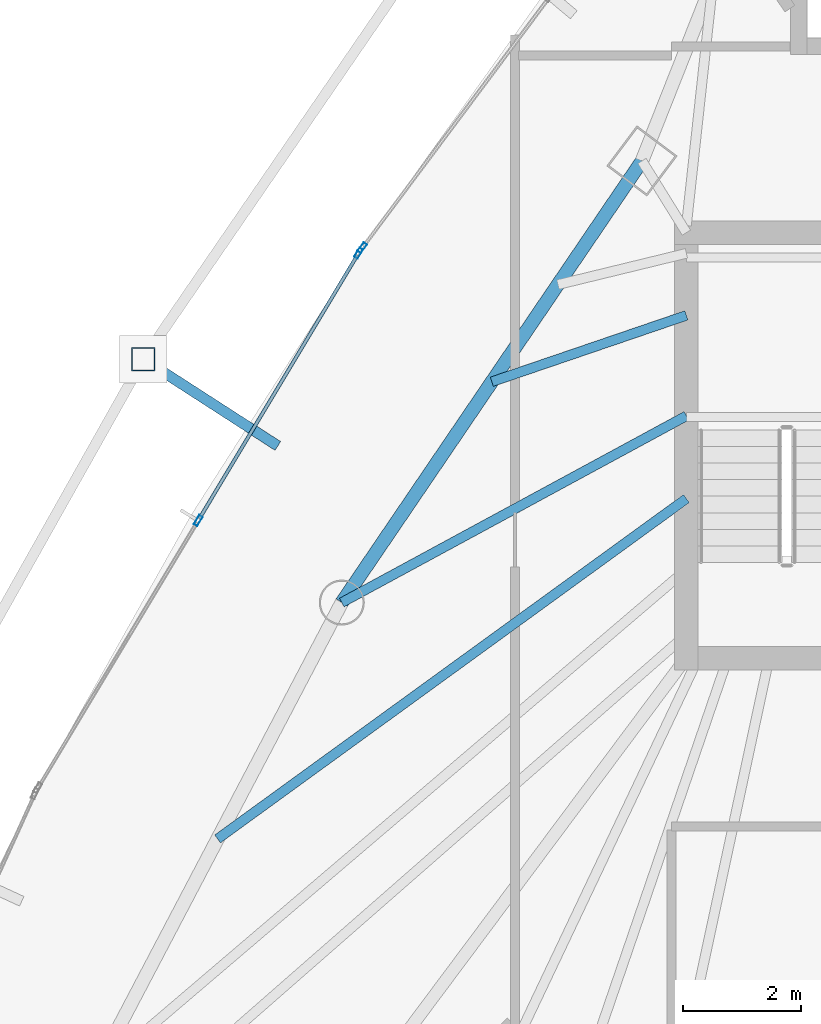
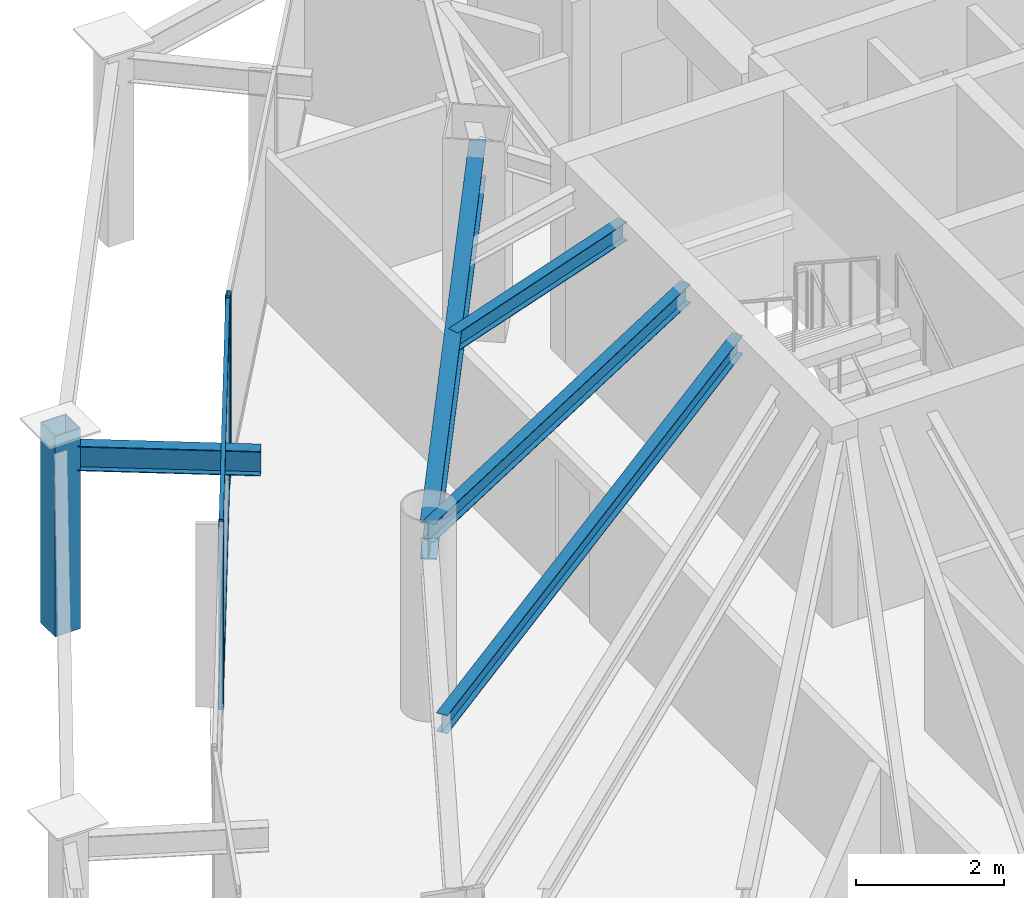
# One storey, part 12 of 31: 6 members, 5 beams, 2 elements without a shape of their own.
"""IFC4 building model written with IfcOpenShell, lengths in metres."""

from ifc_helpers import new_model, si_unit, direction, frame, origin, origin_2d, place, context, subcontext, project, spatial, hollow_rectangle, i_section, extrude, material, layer, layer_set, material_profile, profile_set, type_object, element, aggregate, save


model = new_model("IFC4")

# Units and contexts
model_context = context("Model", 3, precision=1e-05, world=origin(), true_north=direction((0.0, 1.0)))
body_context = subcontext(model_context, "Body", "Model", "MODEL_VIEW")
ifc_project = project(units=[si_unit("LENGTHUNIT", "METRE"), si_unit("AREAUNIT", "SQUARE_METRE"), si_unit("VOLUMEUNIT", "CUBIC_METRE"), si_unit("PLANEANGLEUNIT", "RADIAN"), si_unit("MASSUNIT", "GRAM", prefix="KILO")], contexts=[model_context])

# Site, building, storey
site_placement = place(None, origin())
site = spatial("IfcSite", under=ifc_project, at=site_placement, CompositionType="ELEMENT")
building_placement = place(site_placement, origin())
building = spatial("IfcBuilding", under=site, at=building_placement, Name="Orvanel Arch Residences", CompositionType="ELEMENT")
storey_placement = place(building_placement, frame((0.0, 0.0, 183.64990234375)))
storey = spatial("IfcBuildingStorey", under=building, at=storey_placement, Name="L52", CompositionType="ELEMENT", Elevation=183.64990234375)

# Beams
ifc_material_1 = material(Name="Structural steel AS/NZS 3679.1 Grade 300 (300 MPa)", Category="steel")
ifc_material_profile_1 = material_profile(ifc_material_1, i_section(OverallWidth=0.1650390625, OverallDepth=0.303955078125, WebThickness=0.006103515625, FlangeThickness=0.01025390625, at=origin_2d()), Name="310UB40.4")
ifc_profile_set_1 = profile_set([ifc_material_profile_1], Name="Structural steel AS/NZS 3679.1 Grade 300 (300 MPa)")
beam_type_1 = type_object("IfcBeamType", Name="BJ-310UB", PredefinedType="JOIST", material=ifc_profile_set_1)
beam_1_placement = place(storey_placement, frame((26.39990234375, 30.800048828125, 2.8681640625), z_axis=(-0.87925534649, -0.476350748576, 0.0), x_axis=(0.476350748576, -0.87925534649, 0.0)))
element("IfcBeam", 1, at=beam_1_placement, inside=storey, type_object=beam_type_1, Name="L52 NW Wing Floor Joist", PredefinedType="JOIST", context=body_context, shape_type="SweptSolid", body=[
    extrude(i_section(OverallWidth=0.1650390625, OverallDepth=0.303955078125, WebThickness=0.006103515625, FlangeThickness=0.01025390625, at=origin_2d()), origin(), (0.0, 0.0, 1.0), 6.631591796875),
])
beam_2_placement = place(storey_placement, frame((26.39990234375, 32.5, 2.8681640625), z_axis=(-0.946441958332, -0.322873999431, 0.0), x_axis=(0.322873999431, -0.946441958332, 0.0)))
element("IfcBeam", 2, at=beam_2_placement, inside=storey, type_object=beam_type_1, Name="L52 WNW Wing Floor Joist", PredefinedType="JOIST", context=body_context, shape_type="SweptSolid", body=[
    extrude(i_section(OverallWidth=0.1650390625, OverallDepth=0.303955078125, WebThickness=0.006103515625, FlangeThickness=0.01025390625, at=origin_2d()), origin(), (0.0, 0.0, 1.0), 3.478271484375),
])
beam_3_placement = place(storey_placement, frame((26.39990234375, 29.39990234375, 2.8681640625), z_axis=(-0.809261403954, -0.587448704203, 0.0), x_axis=(0.587448704203, -0.809261403954, 0.0)))
element("IfcBeam", 3, at=beam_3_placement, inside=storey, type_object=beam_type_1, Name="L52 CTW Wing Floor Joist", PredefinedType="JOIST", context=body_context, shape_type="SweptSolid", body=[
    extrude(i_section(OverallWidth=0.1650390625, OverallDepth=0.303955078125, WebThickness=0.006103515625, FlangeThickness=0.01025390625, at=origin_2d()), origin(), (0.0, 0.0, 1.0), 9.80126953125),
])

# Curtain wall, member
ifc_material_2 = material(Name="Bronze-anodised aluminium AA6063-T6", Category="aluminium")
ifc_layer = layer(ifc_material_2, 0.179931640625)
ifc_layer_set = layer_set([ifc_layer], Name="Bronze-anodised aluminium AA6063-T6")
curtain_wall_type = type_object("IfcCurtainWallType", Name="CW3-MID-SYS", PredefinedType="NOTDEFINED", material=ifc_layer_set)
curtain_wall_1_placement = place(storey_placement, origin())
curtain_wall_1 = element("IfcCurtainWall", 4, at=curtain_wall_1_placement, inside=storey, type_object=curtain_wall_type, Name="L52 CW3-MID-SYS Unitised Curtain Wall", PredefinedType="NOTDEFINED")
ifc_material_profile_2 = material_profile(ifc_material_2, hollow_rectangle(XDim=0.070068359375, YDim=0.179931640625, WallThickness=0.00439453125, at=origin_2d()), Name="ALU180x70x4.5")
ifc_profile_set_2 = profile_set([ifc_material_profile_2], Name="Bronze-anodised aluminium AA6063-T6")
member_type_1 = type_object("IfcMemberType", Name="MUL-180x70", PredefinedType="MULLION", material=ifc_profile_set_2)
member_1_placement = place(storey_placement, frame((20.9140625, 33.64306640625, 0.0), z_axis=(0.0, 0.0, 1.0), x_axis=(0.801167631356, -0.598439994041, 0.0)))
member_1 = element("IfcMember", 5, at=member_1_placement, type_object=member_type_1, Name="CW-S3 mullion 3", PredefinedType="MULLION", context=body_context, shape_type="SweptSolid", body=[
    extrude(hollow_rectangle(XDim=0.070068359375, YDim=0.179931640625, WallThickness=0.00439453125, at=origin_2d()), origin(), (0.0, 0.0, 1.0), 3.02001953125),
])
aggregate(curtain_wall_1, [member_1])

# Curtain wall, members
curtain_wall_2_placement = place(storey_placement, origin())
curtain_wall_2 = element("IfcCurtainWall", 6, at=curtain_wall_2_placement, inside=storey, type_object=curtain_wall_type, Name="L52 CW3-MID-SYS Unitised Curtain Wall", PredefinedType="NOTDEFINED")
member_2_placement = place(storey_placement, frame((20.85302734375, 33.552001953125, 0.0), z_axis=(0.0, 0.0, 1.0), x_axis=(0.857567687153, -0.514371132502, 0.0)))
member_2 = element("IfcMember", 7, at=member_2_placement, type_object=member_type_1, Name="CW-S3 mullion 1", PredefinedType="MULLION", context=body_context, shape_type="SweptSolid", body=[
    extrude(hollow_rectangle(XDim=0.070068359375, YDim=0.179931640625, WallThickness=0.00439453125, at=origin_2d()), origin(), (0.0, 0.0, 1.0), 3.02001953125),
])
member_3_placement = place(storey_placement, frame((18.139404296875, 29.028076171875, 0.0), z_axis=(0.0, 0.0, 1.0), x_axis=(0.857567687153, -0.514371132502, 0.0)))
member_3 = element("IfcMember", 8, at=member_3_placement, type_object=member_type_1, Name="CW-S3 mullion 2", PredefinedType="MULLION", context=body_context, shape_type="SweptSolid", body=[
    extrude(hollow_rectangle(XDim=0.070068359375, YDim=0.179931640625, WallThickness=0.00439453125, at=origin_2d()), origin(), (0.0, 0.0, 1.0), 3.02001953125),
])

# Beams
ifc_material_profile_3 = material_profile(ifc_material_1, i_section(OverallWidth=0.177978515625, OverallDepth=0.406005859375, WebThickness=0.0078125, FlangeThickness=0.0126953125, at=origin_2d()), Name="410UB59.7")
ifc_profile_set_3 = profile_set([ifc_material_profile_3], Name="Structural steel AS/NZS 3679.1 Grade 300 (300 MPa)")
beam_type_2 = type_object("IfcBeamType", Name="OB-410UB-EXT", PredefinedType="SPANDREL", material=ifc_profile_set_3)
beam_4_placement = place(storey_placement, frame((19.487060546875, 30.291015625, 2.817138671875), z_axis=(-0.840266171647, 0.542174105603, 0.0), x_axis=(-0.542174105603, -0.840266171647, 0.0)))
element("IfcBeam", 9, at=beam_4_placement, inside=storey, type_object=beam_type_2, Name="L52 Outer Frame Radial Tie Beam 02", PredefinedType="SPANDREL", context=body_context, shape_type="SweptSolid", body=[
    extrude(i_section(OverallWidth=0.177978515625, OverallDepth=0.406005859375, WebThickness=0.0078125, FlangeThickness=0.0126953125, at=origin_2d()), origin(), (0.0, 0.0, 1.0), 2.707763671875),
])
ifc_material_profile_4 = material_profile(ifc_material_1, i_section(OverallWidth=0.22900390625, OverallDepth=0.612060546875, WebThickness=0.011962890625, FlangeThickness=0.01953125, at=origin_2d()), Name="610UB125")
ifc_profile_set_4 = profile_set([ifc_material_profile_4], Name="Structural steel AS/NZS 3679.1 Grade 300 (300 MPa)")
beam_type_3 = type_object("IfcBeamType", Name="SP-610UB", PredefinedType="SPANDREL", material=ifc_profile_set_4)
beam_5_placement = place(storey_placement, frame((25.64794921875, 35.113037109375, 2.714111328125), z_axis=(-0.562154793153, -0.827032035978, 0.0), x_axis=(0.827032035978, -0.562154793153, 0.0)))
element("IfcBeam", 10, at=beam_5_placement, inside=storey, type_object=beam_type_3, Name="L52 Perimeter Spandrel Beam 17", PredefinedType="SPANDREL", context=body_context, shape_type="SweptSolid", body=[
    extrude(i_section(OverallWidth=0.22900390625, OverallDepth=0.612060546875, WebThickness=0.011962890625, FlangeThickness=0.01953125, at=origin_2d()), origin(), (0.0, 0.0, 1.0), 9.03466796875),
])

# Member
ifc_material_3 = material(Name="Structural steel AS/NZS 1163 C450L0 (Grade 450)", Category="steel")
ifc_material_profile_5 = material_profile(ifc_material_3, hollow_rectangle(XDim=0.39990234375, YDim=0.39990234375, WallThickness=0.01611328125, at=origin_2d()), Name="SHS400x400x16")
ifc_profile_set_5 = profile_set([ifc_material_profile_5], Name="Structural steel AS/NZS 1163 C450L0 (Grade 450)")
member_type_2 = type_object("IfcMemberType", Name="ST-400SHS-EXT", PredefinedType="STRUT", material=ifc_profile_set_5)
member_4_placement = place(storey_placement, frame((17.2119140625, 31.759033203125, 0.0), z_axis=(0.0, 0.0, 1.0), x_axis=(1.0, 0.0, 0.0)))
element("IfcMember", 11, at=member_4_placement, inside=storey, type_object=member_type_2, Name="L52 Outer Perimeter Frame Post 02", PredefinedType="STRUT", context=body_context, shape_type="SweptSolid", body=[
    extrude(hollow_rectangle(XDim=0.39990234375, YDim=0.39990234375, WallThickness=0.01611328125, at=origin_2d()), origin(), (0.0, 0.0, 1.0), 3.300048828125),
])

ifc_material_profile_6 = material_profile(ifc_material_2, hollow_rectangle(XDim=0.06005859375, YDim=0.135009765625, WallThickness=0.00390625, at=origin_2d()), Name="ALU135x60x4")
ifc_profile_set_6 = profile_set([ifc_material_profile_6], Name="Bronze-anodised aluminium AA6063-T6")
member_type_3 = type_object("IfcMemberType", Name="TRN-135x60", PredefinedType="USERDEFINED", material=ifc_profile_set_6)
member_5_placement = place(storey_placement, frame((20.8349609375, 33.52197265625, 0.030029296875), z_axis=(-0.514378494646, -0.857563271278, 0.0), x_axis=(0.857563271278, -0.514378494646, 0.0)))
member_5 = element("IfcMember", 12, at=member_5_placement, type_object=member_type_3, Name="CW-S3 transom 1.1", ObjectType="TRANSOM", PredefinedType="USERDEFINED", context=body_context, shape_type="SweptSolid", body=[
    extrude(hollow_rectangle(XDim=0.06005859375, YDim=0.135009765625, WallThickness=0.00390625, at=origin_2d()), origin(), (0.0, 0.0, 1.0), 5.205322265625),
])

member_6_placement = place(storey_placement, frame((20.8349609375, 33.52197265625, 2.989990234375), z_axis=(-0.514378494646, -0.857563271278, 0.0), x_axis=(0.857563271278, -0.514378494646, 0.0)))
member_6 = element("IfcMember", 13, at=member_6_placement, type_object=member_type_3, Name="CW-S3 transom 1.2", ObjectType="TRANSOM", PredefinedType="USERDEFINED", context=body_context, shape_type="SweptSolid", body=[
    extrude(hollow_rectangle(XDim=0.06005859375, YDim=0.135009765625, WallThickness=0.00390625, at=origin_2d()), origin(), (0.0, 0.0, 1.0), 5.205322265625),
])

aggregate(curtain_wall_2, [member_2, member_3, member_5, member_6])

save(model, "model.ifc")
